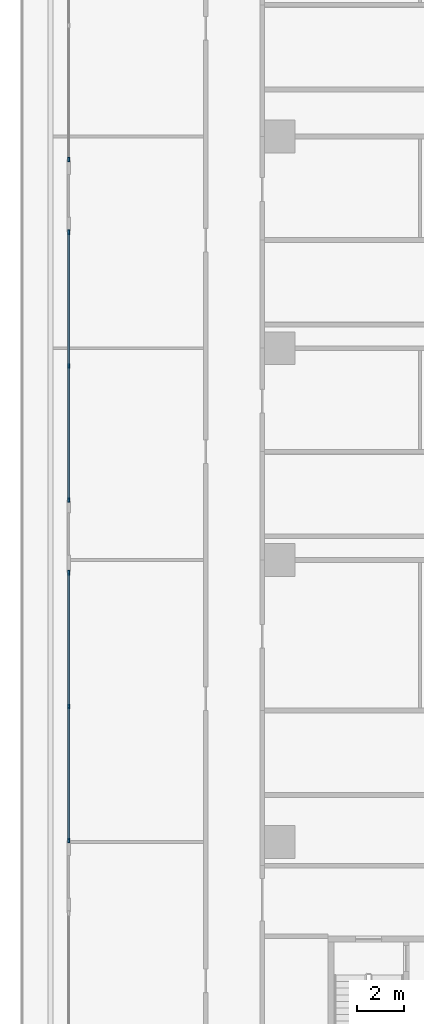
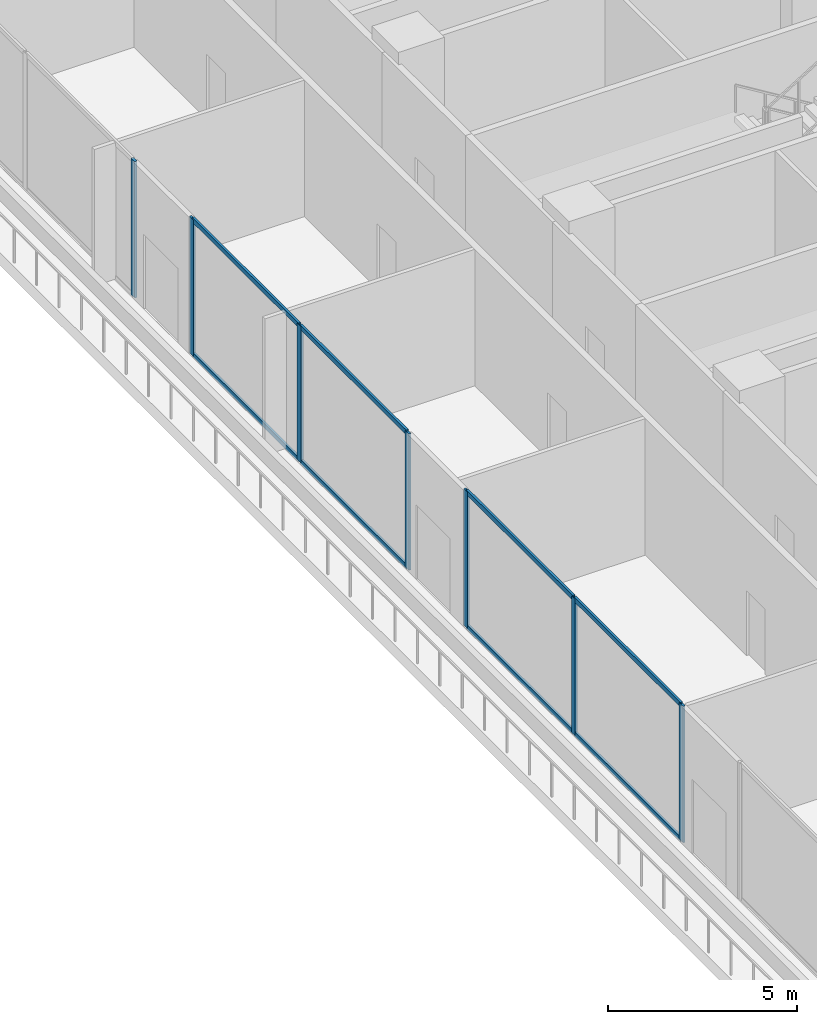
# One storey, part 4 of 26: 15 members, 3 elements without a shape of their own.
"""IFC4 building model written with IfcOpenShell, lengths in metres."""

from ifc_helpers import new_model, si_unit, direction, frame, origin, origin_2d, place, context, subcontext, project, spatial, rectangle, extrude, material, layer, layer_set, material_profile, profile_set, type_object, element, aggregate, save


model = new_model("IFC4")

# Units and contexts
model_context = context("Model", 3, precision=1e-05, world=origin(), true_north=direction((0.0, 1.0)))
body_context = subcontext(model_context, "Body", "Model", "MODEL_VIEW")
ifc_project = project(units=[si_unit("LENGTHUNIT", "METRE"), si_unit("AREAUNIT", "SQUARE_METRE"), si_unit("VOLUMEUNIT", "CUBIC_METRE"), si_unit("PLANEANGLEUNIT", "RADIAN"), si_unit("MASSUNIT", "GRAM", prefix="KILO")], contexts=[model_context])

# Site, building, storey
site_placement = place(None, origin())
site = spatial("IfcSite", under=ifc_project, at=site_placement, CompositionType="ELEMENT")
building_placement = place(site_placement, origin())
building = spatial("IfcBuilding", under=site, at=building_placement, Name="Chenar Terraces", CompositionType="ELEMENT")
storey_placement = place(building_placement, frame((0.0, 0.0, 16.800048828125)))
storey = spatial("IfcBuildingStorey", under=building, at=storey_placement, Name="L03", CompositionType="ELEMENT", Elevation=16.800048828125)

# Curtain wall, member
ifc_material_1 = material(Name="Aluminium framed glazing", Category="aluminium")
ifc_layer = layer(ifc_material_1, 0.14990234375)
ifc_layer_set = layer_set([ifc_layer], Name="Aluminium framed glazing")
curtain_wall_type = type_object("IfcCurtainWallType", Name="School curtain wall", PredefinedType="NOTDEFINED", material=ifc_layer_set)
placement = place(storey_placement, origin())
curtain_wall_1 = element("IfcCurtainWall", 1, at=placement, inside=storey, type_object=curtain_wall_type, Name="School curtain wall", PredefinedType="NOTDEFINED")
ifc_material_2 = material(Name="Aluminium", Category="aluminium")
ifc_material_profile_1 = material_profile(ifc_material_2, rectangle(XDim=0.070068359375, YDim=0.199951171875, at=origin_2d()), Name="School glazing mullion 70 x 200")
ifc_profile_set_1 = profile_set([ifc_material_profile_1], Name="Aluminium")
member_type_1 = type_object("IfcMemberType", Name="School glazing mullion 70 x 200", PredefinedType="MULLION", material=ifc_profile_set_1)
member_1_placement = place(storey_placement, frame((-8.925048828125, 53.02587890625, 0.0), z_axis=(0.0, 0.0, 1.0), x_axis=(1.0, 0.0, 0.0)))
member_1 = element("IfcMember", 2, at=member_1_placement, type_object=member_type_1, Name="CW2-05c0 mullion 3", PredefinedType="MULLION", context=body_context, shape_type="SweptSolid", body=[
    extrude(rectangle(XDim=0.070068359375, YDim=0.199951171875, at=origin_2d()), origin(), (0.0, 0.0, 1.0), 4.39990234375),
])
aggregate(curtain_wall_1, [member_1])

# Curtain wall, members
curtain_wall_2 = element("IfcCurtainWall", 3, at=placement, inside=storey, type_object=curtain_wall_type, Name="School curtain wall", PredefinedType="NOTDEFINED")
member_2_placement = place(storey_placement, frame((-8.925048828125, 49.930908203125, 0.0), z_axis=(0.0, 0.0, 1.0), x_axis=(1.0, 0.0, 0.0)))
member_2 = element("IfcMember", 4, at=member_2_placement, type_object=member_type_1, Name="CW2-05c1 mullion 1", PredefinedType="MULLION", context=body_context, shape_type="SweptSolid", body=[
    extrude(rectangle(XDim=0.070068359375, YDim=0.199951171875, at=origin_2d()), origin(), (0.0, 0.0, 1.0), 4.39990234375),
])
member_3_placement = place(storey_placement, frame((-8.925048828125, 44.2392578125, 0.0), z_axis=(0.0, 0.0, 1.0), x_axis=(1.0, 0.0, 0.0)))
member_3 = element("IfcMember", 5, at=member_3_placement, type_object=member_type_1, Name="CW2-05c1 mullion 2", PredefinedType="MULLION", context=body_context, shape_type="SweptSolid", body=[
    extrude(rectangle(XDim=0.070068359375, YDim=0.199951171875, at=origin_2d()), origin(), (0.0, 0.0, 1.0), 4.39990234375),
])
member_4_placement = place(storey_placement, frame((-8.925048828125, 38.547607421875, 0.0), z_axis=(0.0, 0.0, 1.0), x_axis=(1.0, 0.0, 0.0)))
member_4 = element("IfcMember", 6, at=member_4_placement, type_object=member_type_1, Name="CW2-05c1 mullion 3", PredefinedType="MULLION", context=body_context, shape_type="SweptSolid", body=[
    extrude(rectangle(XDim=0.070068359375, YDim=0.199951171875, at=origin_2d()), origin(), (0.0, 0.0, 1.0), 4.39990234375),
])

curtain_wall_3 = element("IfcCurtainWall", 7, at=placement, inside=storey, type_object=curtain_wall_type, Name="School curtain wall", PredefinedType="NOTDEFINED")
member_5_placement = place(storey_placement, frame((-8.925048828125, 35.452392578125, 0.0), z_axis=(0.0, 0.0, 1.0), x_axis=(1.0, 0.0, 0.0)))
member_5 = element("IfcMember", 8, at=member_5_placement, type_object=member_type_1, Name="CW2-05c2 mullion 1", PredefinedType="MULLION", context=body_context, shape_type="SweptSolid", body=[
    extrude(rectangle(XDim=0.070068359375, YDim=0.199951171875, at=origin_2d()), origin(), (0.0, 0.0, 1.0), 4.39990234375),
])
member_6_placement = place(storey_placement, frame((-8.925048828125, 29.7607421875, 0.0), z_axis=(0.0, 0.0, 1.0), x_axis=(1.0, 0.0, 0.0)))
member_6 = element("IfcMember", 9, at=member_6_placement, type_object=member_type_1, Name="CW2-05c2 mullion 2", PredefinedType="MULLION", context=body_context, shape_type="SweptSolid", body=[
    extrude(rectangle(XDim=0.070068359375, YDim=0.199951171875, at=origin_2d()), origin(), (0.0, 0.0, 1.0), 4.39990234375),
])
member_7_placement = place(storey_placement, frame((-8.925048828125, 24.069091796875, 0.0), z_axis=(0.0, 0.0, 1.0), x_axis=(1.0, 0.0, 0.0)))
member_7 = element("IfcMember", 10, at=member_7_placement, type_object=member_type_1, Name="CW2-05c2 mullion 3", PredefinedType="MULLION", context=body_context, shape_type="SweptSolid", body=[
    extrude(rectangle(XDim=0.070068359375, YDim=0.199951171875, at=origin_2d()), origin(), (0.0, 0.0, 1.0), 4.39990234375),
])

# Member
ifc_material_3 = material(Name="Aluminium", Category="aluminium")
ifc_material_profile_2 = material_profile(ifc_material_3, rectangle(XDim=0.070068359375, YDim=0.14990234375, at=origin_2d()), Name="School glazing transom 70 x 150")
ifc_profile_set_2 = profile_set([ifc_material_profile_2], Name="Aluminium")
member_type_2 = type_object("IfcMemberType", Name="School glazing transom 70 x 150", PredefinedType="USERDEFINED", material=ifc_profile_set_2)
member_8_placement = place(storey_placement, frame((-8.925048828125, 49.895751953125, 0.034912109375), z_axis=(0.0, -1.0, 0.0), x_axis=(1.0, 0.0, 0.0)))
member_8 = element("IfcMember", 11, at=member_8_placement, type_object=member_type_2, Name="CW2-05c1 transom 1.1", ObjectType="TRANSOM", PredefinedType="USERDEFINED", context=body_context, shape_type="SweptSolid", body=[
    extrude(rectangle(XDim=0.070068359375, YDim=0.14990234375, at=origin_2d()), origin(), (0.0, 0.0, 1.0), 5.62158203125),
])

member_9_placement = place(storey_placement, frame((-8.925048828125, 49.895751953125, 4.364990234375), z_axis=(0.0, -1.0, 0.0), x_axis=(1.0, 0.0, 0.0)))
member_9 = element("IfcMember", 12, at=member_9_placement, type_object=member_type_2, Name="CW2-05c1 transom 1.2", ObjectType="TRANSOM", PredefinedType="USERDEFINED", context=body_context, shape_type="SweptSolid", body=[
    extrude(rectangle(XDim=0.070068359375, YDim=0.14990234375, at=origin_2d()), origin(), (0.0, 0.0, 1.0), 5.62158203125),
])

member_10_placement = place(storey_placement, frame((-8.925048828125, 44.2041015625, 0.034912109375), z_axis=(0.0, -1.0, 0.0), x_axis=(1.0, 0.0, 0.0)))
member_10 = element("IfcMember", 13, at=member_10_placement, type_object=member_type_2, Name="CW2-05c1 transom 2.1", ObjectType="TRANSOM", PredefinedType="USERDEFINED", context=body_context, shape_type="SweptSolid", body=[
    extrude(rectangle(XDim=0.070068359375, YDim=0.14990234375, at=origin_2d()), origin(), (0.0, 0.0, 1.0), 5.62158203125),
])

member_11_placement = place(storey_placement, frame((-8.925048828125, 44.2041015625, 4.364990234375), z_axis=(0.0, -1.0, 0.0), x_axis=(1.0, 0.0, 0.0)))
member_11 = element("IfcMember", 14, at=member_11_placement, type_object=member_type_2, Name="CW2-05c1 transom 2.2", ObjectType="TRANSOM", PredefinedType="USERDEFINED", context=body_context, shape_type="SweptSolid", body=[
    extrude(rectangle(XDim=0.070068359375, YDim=0.14990234375, at=origin_2d()), origin(), (0.0, 0.0, 1.0), 5.62158203125),
])

aggregate(curtain_wall_2, [member_2, member_3, member_4, member_8, member_9, member_10, member_11])

member_12_placement = place(storey_placement, frame((-8.925048828125, 35.41748046875, 0.034912109375), z_axis=(0.0, -1.0, 0.0), x_axis=(1.0, 0.0, 0.0)))
member_12 = element("IfcMember", 15, at=member_12_placement, type_object=member_type_2, Name="CW2-05c2 transom 1.1", ObjectType="TRANSOM", PredefinedType="USERDEFINED", context=body_context, shape_type="SweptSolid", body=[
    extrude(rectangle(XDim=0.070068359375, YDim=0.14990234375, at=origin_2d()), origin(), (0.0, 0.0, 1.0), 5.62158203125),
])

member_13_placement = place(storey_placement, frame((-8.925048828125, 35.41748046875, 4.364990234375), z_axis=(0.0, -1.0, 0.0), x_axis=(1.0, 0.0, 0.0)))
member_13 = element("IfcMember", 16, at=member_13_placement, type_object=member_type_2, Name="CW2-05c2 transom 1.2", ObjectType="TRANSOM", PredefinedType="USERDEFINED", context=body_context, shape_type="SweptSolid", body=[
    extrude(rectangle(XDim=0.070068359375, YDim=0.14990234375, at=origin_2d()), origin(), (0.0, 0.0, 1.0), 5.62158203125),
])

member_14_placement = place(storey_placement, frame((-8.925048828125, 29.725830078125, 0.034912109375), z_axis=(0.0, -1.0, 0.0), x_axis=(1.0, 0.0, 0.0)))
member_14 = element("IfcMember", 17, at=member_14_placement, type_object=member_type_2, Name="CW2-05c2 transom 2.1", ObjectType="TRANSOM", PredefinedType="USERDEFINED", context=body_context, shape_type="SweptSolid", body=[
    extrude(rectangle(XDim=0.070068359375, YDim=0.14990234375, at=origin_2d()), origin(), (0.0, 0.0, 1.0), 5.62158203125),
])

member_15_placement = place(storey_placement, frame((-8.925048828125, 29.725830078125, 4.364990234375), z_axis=(0.0, -1.0, 0.0), x_axis=(1.0, 0.0, 0.0)))
member_15 = element("IfcMember", 18, at=member_15_placement, type_object=member_type_2, Name="CW2-05c2 transom 2.2", ObjectType="TRANSOM", PredefinedType="USERDEFINED", context=body_context, shape_type="SweptSolid", body=[
    extrude(rectangle(XDim=0.070068359375, YDim=0.14990234375, at=origin_2d()), origin(), (0.0, 0.0, 1.0), 5.62158203125),
])

aggregate(curtain_wall_3, [member_5, member_6, member_7, member_12, member_13, member_14, member_15])

save(model, "model.ifc")
